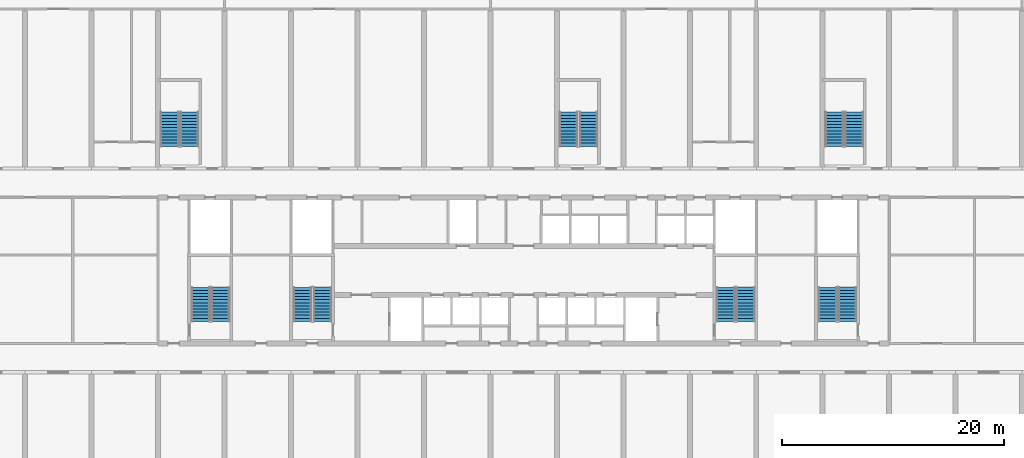
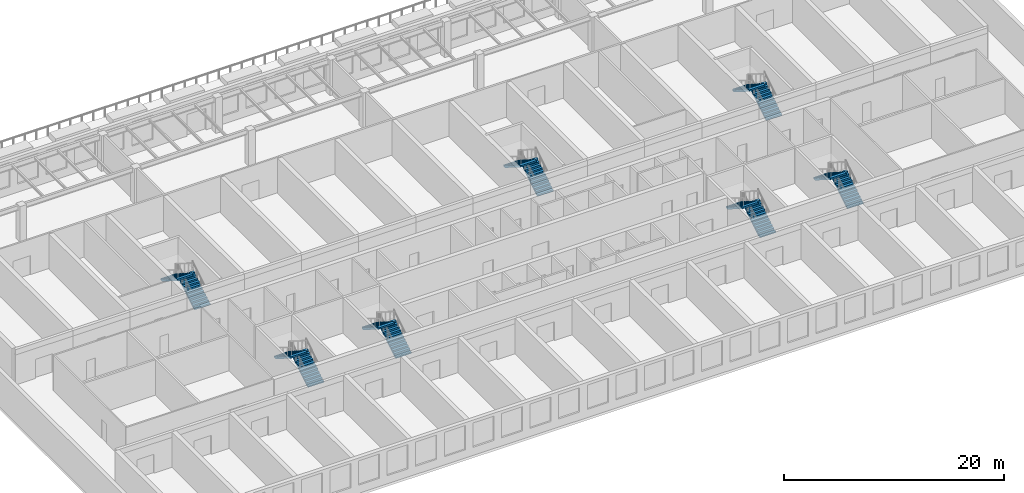
# One storey, part 12 of 16: 14 stair flights, 7 elements without a shape of their own.
"""IFC4 building model written with IfcOpenShell, lengths in metres."""

from ifc_helpers import new_model, si_unit, direction, frame, origin, place, context, subcontext, project, spatial, polyline, outline, extrude, material, layer, layer_set, type_object, element, aggregate, save


model = new_model("IFC4")

# Units and contexts
model_context = context("Model", 3, precision=1e-05, world=origin(), true_north=direction((0.0, 1.0)))
body_context = subcontext(model_context, "Body", "Model", "MODEL_VIEW")
ifc_project = project(units=[si_unit("LENGTHUNIT", "METRE"), si_unit("AREAUNIT", "SQUARE_METRE"), si_unit("VOLUMEUNIT", "CUBIC_METRE"), si_unit("PLANEANGLEUNIT", "RADIAN"), si_unit("MASSUNIT", "GRAM", prefix="KILO")], contexts=[model_context])

# Site, building, storey
site_placement = place(None, origin())
site = spatial("IfcSite", under=ifc_project, at=site_placement, CompositionType="ELEMENT")
building_placement = place(site_placement, origin())
building = spatial("IfcBuilding", under=site, at=building_placement, Name="Poui Terraces", CompositionType="ELEMENT")
storey_placement = place(building_placement, frame((0.0, 0.0, 15.0)))
storey = spatial("IfcBuildingStorey", under=building, at=storey_placement, Name="L03", CompositionType="ELEMENT", Elevation=15.0)

# Stair, stair flights
ifc_material = material(Name="Concrete 80 MPa", Category="concrete")
stair_type = type_object("IfcStairType", Name="EXIT STAIR 1650 80 MPA", PredefinedType="HALF_TURN_STAIR", material=ifc_material)
stair_1_placement = place(storey_placement, origin())
stair_1 = element("IfcStair", 1, at=stair_1_placement, inside=storey, type_object=stair_type, Name="L03 CORE STAIR EAST", PredefinedType="HALF_TURN_STAIR")
ifc_layer = layer(ifc_material, 0.14990234375)
ifc_layer_set = layer_set([ifc_layer], Name="Concrete 80 MPa")
stair_flight_type = type_object("IfcStairFlightType", Name="STAIR FLIGHT 12 RISERS 175 RISE 80 MPA", PredefinedType="STRAIGHT", material=ifc_layer_set)
stair_flight_1_placement = place(storey_placement, frame((71.050048828125, 16.60009765625, 0.0), z_axis=(0.0, 0.0, 1.0), x_axis=(0.0, 1.0, 0.0)))
stair_flight_1 = element("IfcStairFlight", 2, at=stair_flight_1_placement, type_object=stair_flight_type, Name="ST-CE flight 1", NumberOfRisers=12, NumberOfTreads=11, PredefinedType="STRAIGHT", RiserHeight=0.175, TreadLength=0.28, context=body_context, shape_type="SweptSolid", body=[
    extrude(outline(polyline([(0.0, 0.0), (0.0, 0.175048828125), (0.280029296875, 0.175048828125), (0.280029296875, 0.35009765625), (0.56005859375, 0.35009765625), (0.56005859375, 0.52490234375), (0.840087890625, 0.52490234375), (0.840087890625, 0.699951171875), (1.1201171875, 0.699951171875), (1.1201171875, 0.875), (1.39990234375, 0.875), (1.39990234375, 1.050048828125), (1.679931640625, 1.050048828125), (1.679931640625, 1.22509765625), (1.9599609375, 1.22509765625), (1.9599609375, 1.39990234375), (2.239990234375, 1.39990234375), (2.239990234375, 1.574951171875), (2.52001953125, 1.574951171875), (2.52001953125, 1.75), (2.800048828125, 1.75), (2.800048828125, 1.925048828125), (3.080078125, 1.925048828125), (3.080078125, 2.10009765625), (3.080078125, 1.748291015625), (0.28271484375, 0.0), (0.0, 0.0)])), frame((0.0, 0.824951171875, 0.0), z_axis=(0.0, -1.0, 0.0), x_axis=(1.0, 0.0, 0.0)), (0.0, 0.0, 1.0), 1.64990234375),
])
stair_flight_2_placement = place(storey_placement, frame((69.25, 19.679931640625, 2.10009765625), z_axis=(0.0, 0.0, 1.0), x_axis=(0.0, -1.0, 0.0)))
stair_flight_2 = element("IfcStairFlight", 3, at=stair_flight_2_placement, type_object=stair_flight_type, Name="ST-CE flight 2", NumberOfRisers=12, NumberOfTreads=11, PredefinedType="STRAIGHT", RiserHeight=0.175, TreadLength=0.28, context=body_context, shape_type="SweptSolid", body=[
    extrude(outline(polyline([(0.0, 0.0), (0.0, 0.175048828125), (0.280029296875, 0.175048828125), (0.280029296875, 0.35009765625), (0.56005859375, 0.35009765625), (0.56005859375, 0.52490234375), (0.840087890625, 0.52490234375), (0.840087890625, 0.699951171875), (1.1201171875, 0.699951171875), (1.1201171875, 0.875), (1.39990234375, 0.875), (1.39990234375, 1.050048828125), (1.679931640625, 1.050048828125), (1.679931640625, 1.22509765625), (1.9599609375, 1.22509765625), (1.9599609375, 1.39990234375), (2.239990234375, 1.39990234375), (2.239990234375, 1.574951171875), (2.52001953125, 1.574951171875), (2.52001953125, 1.75), (2.800048828125, 1.75), (2.800048828125, 1.925048828125), (3.080078125, 1.925048828125), (3.080078125, 2.10009765625), (3.080078125, 1.748291015625), (0.28271484375, 0.0), (0.0, 0.0)])), frame((0.0, 0.824951171875, 0.0), z_axis=(0.0, -1.0, 0.0), x_axis=(1.0, 0.0, 0.0)), (0.0, 0.0, 1.0), 1.64990234375),
])
aggregate(stair_1, [stair_flight_1, stair_flight_2])

stair_2_placement = place(storey_placement, origin())
stair_2 = element("IfcStair", 4, at=stair_2_placement, inside=storey, type_object=stair_type, Name="L03 CORE STAIR WEST", PredefinedType="HALF_TURN_STAIR")
stair_flight_3_placement = place(storey_placement, frame((32.85009765625, 16.60009765625, 0.0), z_axis=(0.0, 0.0, 1.0), x_axis=(0.0, 1.0, 0.0)))
stair_flight_3 = element("IfcStairFlight", 5, at=stair_flight_3_placement, type_object=stair_flight_type, Name="ST-CW flight 1", NumberOfRisers=12, NumberOfTreads=11, PredefinedType="STRAIGHT", RiserHeight=0.175, TreadLength=0.28, context=body_context, shape_type="SweptSolid", body=[
    extrude(outline(polyline([(0.0, 0.0), (0.0, 0.175048828125), (0.280029296875, 0.175048828125), (0.280029296875, 0.35009765625), (0.56005859375, 0.35009765625), (0.56005859375, 0.52490234375), (0.840087890625, 0.52490234375), (0.840087890625, 0.699951171875), (1.1201171875, 0.699951171875), (1.1201171875, 0.875), (1.39990234375, 0.875), (1.39990234375, 1.050048828125), (1.679931640625, 1.050048828125), (1.679931640625, 1.22509765625), (1.9599609375, 1.22509765625), (1.9599609375, 1.39990234375), (2.239990234375, 1.39990234375), (2.239990234375, 1.574951171875), (2.52001953125, 1.574951171875), (2.52001953125, 1.75), (2.800048828125, 1.75), (2.800048828125, 1.925048828125), (3.080078125, 1.925048828125), (3.080078125, 2.10009765625), (3.080078125, 1.748291015625), (0.28271484375, 0.0), (0.0, 0.0)])), frame((0.0, 0.824951171875, 0.0), z_axis=(0.0, -1.0, 0.0), x_axis=(1.0, 0.0, 0.0)), (0.0, 0.0, 1.0), 1.64990234375),
])
stair_flight_4_placement = place(storey_placement, frame((31.050048828125, 19.679931640625, 2.10009765625), z_axis=(0.0, 0.0, 1.0), x_axis=(0.0, -1.0, 0.0)))
stair_flight_4 = element("IfcStairFlight", 6, at=stair_flight_4_placement, type_object=stair_flight_type, Name="ST-CW flight 2", NumberOfRisers=12, NumberOfTreads=11, PredefinedType="STRAIGHT", RiserHeight=0.175, TreadLength=0.28, context=body_context, shape_type="SweptSolid", body=[
    extrude(outline(polyline([(0.0, 0.0), (0.0, 0.175048828125), (0.280029296875, 0.175048828125), (0.280029296875, 0.35009765625), (0.56005859375, 0.35009765625), (0.56005859375, 0.52490234375), (0.840087890625, 0.52490234375), (0.840087890625, 0.699951171875), (1.1201171875, 0.699951171875), (1.1201171875, 0.875), (1.39990234375, 0.875), (1.39990234375, 1.050048828125), (1.679931640625, 1.050048828125), (1.679931640625, 1.22509765625), (1.9599609375, 1.22509765625), (1.9599609375, 1.39990234375), (2.239990234375, 1.39990234375), (2.239990234375, 1.574951171875), (2.52001953125, 1.574951171875), (2.52001953125, 1.75), (2.800048828125, 1.75), (2.800048828125, 1.925048828125), (3.080078125, 1.925048828125), (3.080078125, 2.10009765625), (3.080078125, 1.748291015625), (0.28271484375, 0.0), (0.0, 0.0)])), frame((0.0, 0.824951171875, 0.0), z_axis=(0.0, -1.0, 0.0), x_axis=(1.0, 0.0, 0.0)), (0.0, 0.0, 1.0), 1.64990234375),
])
aggregate(stair_2, [stair_flight_3, stair_flight_4])

stair_3_placement = place(storey_placement, origin())
stair_3 = element("IfcStair", 7, at=stair_3_placement, inside=storey, type_object=stair_type, Name="L03 TIP STAIR EAST", PredefinedType="HALF_TURN_STAIR")
stair_flight_5_placement = place(storey_placement, frame((80.25, 16.60009765625, 0.0), z_axis=(0.0, 0.0, 1.0), x_axis=(0.0, 1.0, 0.0)))
stair_flight_5 = element("IfcStairFlight", 8, at=stair_flight_5_placement, type_object=stair_flight_type, Name="ST-E flight 1", NumberOfRisers=12, NumberOfTreads=11, PredefinedType="STRAIGHT", RiserHeight=0.175, TreadLength=0.28, context=body_context, shape_type="SweptSolid", body=[
    extrude(outline(polyline([(0.0, 0.0), (0.0, 0.175048828125), (0.280029296875, 0.175048828125), (0.280029296875, 0.35009765625), (0.56005859375, 0.35009765625), (0.56005859375, 0.52490234375), (0.840087890625, 0.52490234375), (0.840087890625, 0.699951171875), (1.1201171875, 0.699951171875), (1.1201171875, 0.875), (1.39990234375, 0.875), (1.39990234375, 1.050048828125), (1.679931640625, 1.050048828125), (1.679931640625, 1.22509765625), (1.9599609375, 1.22509765625), (1.9599609375, 1.39990234375), (2.239990234375, 1.39990234375), (2.239990234375, 1.574951171875), (2.52001953125, 1.574951171875), (2.52001953125, 1.75), (2.800048828125, 1.75), (2.800048828125, 1.925048828125), (3.080078125, 1.925048828125), (3.080078125, 2.10009765625), (3.080078125, 1.748291015625), (0.28271484375, 0.0), (0.0, 0.0)])), frame((0.0, 0.824951171875, 0.0), z_axis=(0.0, -1.0, 0.0), x_axis=(1.0, 0.0, 0.0)), (0.0, 0.0, 1.0), 1.64990234375),
])
stair_flight_6_placement = place(storey_placement, frame((78.449951171875, 19.679931640625, 2.10009765625), z_axis=(0.0, 0.0, 1.0), x_axis=(0.0, -1.0, 0.0)))
stair_flight_6 = element("IfcStairFlight", 9, at=stair_flight_6_placement, type_object=stair_flight_type, Name="ST-E flight 2", NumberOfRisers=12, NumberOfTreads=11, PredefinedType="STRAIGHT", RiserHeight=0.175, TreadLength=0.28, context=body_context, shape_type="SweptSolid", body=[
    extrude(outline(polyline([(0.0, 0.0), (0.0, 0.175048828125), (0.280029296875, 0.175048828125), (0.280029296875, 0.35009765625), (0.56005859375, 0.35009765625), (0.56005859375, 0.52490234375), (0.840087890625, 0.52490234375), (0.840087890625, 0.699951171875), (1.1201171875, 0.699951171875), (1.1201171875, 0.875), (1.39990234375, 0.875), (1.39990234375, 1.050048828125), (1.679931640625, 1.050048828125), (1.679931640625, 1.22509765625), (1.9599609375, 1.22509765625), (1.9599609375, 1.39990234375), (2.239990234375, 1.39990234375), (2.239990234375, 1.574951171875), (2.52001953125, 1.574951171875), (2.52001953125, 1.75), (2.800048828125, 1.75), (2.800048828125, 1.925048828125), (3.080078125, 1.925048828125), (3.080078125, 2.10009765625), (3.080078125, 1.748291015625), (0.28271484375, 0.0), (0.0, 0.0)])), frame((0.0, 0.824951171875, 0.0), z_axis=(0.0, -1.0, 0.0), x_axis=(1.0, 0.0, 0.0)), (0.0, 0.0, 1.0), 1.64990234375),
])
aggregate(stair_3, [stair_flight_5, stair_flight_6])

stair_4_placement = place(storey_placement, origin())
stair_4 = element("IfcStair", 10, at=stair_4_placement, inside=storey, type_object=stair_type, Name="L03 TIP STAIR WEST", PredefinedType="HALF_TURN_STAIR")
stair_flight_7_placement = place(storey_placement, frame((23.64990234375, 16.60009765625, 0.0), z_axis=(0.0, 0.0, 1.0), x_axis=(0.0, 1.0, 0.0)))
stair_flight_7 = element("IfcStairFlight", 11, at=stair_flight_7_placement, type_object=stair_flight_type, Name="ST-W flight 1", NumberOfRisers=12, NumberOfTreads=11, PredefinedType="STRAIGHT", RiserHeight=0.175, TreadLength=0.28, context=body_context, shape_type="SweptSolid", body=[
    extrude(outline(polyline([(0.0, 0.0), (0.0, 0.175048828125), (0.280029296875, 0.175048828125), (0.280029296875, 0.35009765625), (0.56005859375, 0.35009765625), (0.56005859375, 0.52490234375), (0.840087890625, 0.52490234375), (0.840087890625, 0.699951171875), (1.1201171875, 0.699951171875), (1.1201171875, 0.875), (1.39990234375, 0.875), (1.39990234375, 1.050048828125), (1.679931640625, 1.050048828125), (1.679931640625, 1.22509765625), (1.9599609375, 1.22509765625), (1.9599609375, 1.39990234375), (2.239990234375, 1.39990234375), (2.239990234375, 1.574951171875), (2.52001953125, 1.574951171875), (2.52001953125, 1.75), (2.800048828125, 1.75), (2.800048828125, 1.925048828125), (3.080078125, 1.925048828125), (3.080078125, 2.10009765625), (3.080078125, 1.748291015625), (0.28271484375, 0.0), (0.0, 0.0)])), frame((0.0, 0.824951171875, 0.0), z_axis=(0.0, -1.0, 0.0), x_axis=(1.0, 0.0, 0.0)), (0.0, 0.0, 1.0), 1.64990234375),
])
stair_flight_8_placement = place(storey_placement, frame((21.85009765625, 19.679931640625, 2.10009765625), z_axis=(0.0, 0.0, 1.0), x_axis=(0.0, -1.0, 0.0)))
stair_flight_8 = element("IfcStairFlight", 12, at=stair_flight_8_placement, type_object=stair_flight_type, Name="ST-W flight 2", NumberOfRisers=12, NumberOfTreads=11, PredefinedType="STRAIGHT", RiserHeight=0.175, TreadLength=0.28, context=body_context, shape_type="SweptSolid", body=[
    extrude(outline(polyline([(0.0, 0.0), (0.0, 0.175048828125), (0.280029296875, 0.175048828125), (0.280029296875, 0.35009765625), (0.56005859375, 0.35009765625), (0.56005859375, 0.52490234375), (0.840087890625, 0.52490234375), (0.840087890625, 0.699951171875), (1.1201171875, 0.699951171875), (1.1201171875, 0.875), (1.39990234375, 0.875), (1.39990234375, 1.050048828125), (1.679931640625, 1.050048828125), (1.679931640625, 1.22509765625), (1.9599609375, 1.22509765625), (1.9599609375, 1.39990234375), (2.239990234375, 1.39990234375), (2.239990234375, 1.574951171875), (2.52001953125, 1.574951171875), (2.52001953125, 1.75), (2.800048828125, 1.75), (2.800048828125, 1.925048828125), (3.080078125, 1.925048828125), (3.080078125, 2.10009765625), (3.080078125, 1.748291015625), (0.28271484375, 0.0), (0.0, 0.0)])), frame((0.0, 0.824951171875, 0.0), z_axis=(0.0, -1.0, 0.0), x_axis=(1.0, 0.0, 0.0)), (0.0, 0.0, 1.0), 1.64990234375),
])
aggregate(stair_4, [stair_flight_7, stair_flight_8])

stair_5_placement = place(storey_placement, origin())
stair_5 = element("IfcStair", 13, at=stair_5_placement, inside=storey, type_object=stair_type, Name="L03 PODIUM STAIR 1", PredefinedType="HALF_TURN_STAIR")
stair_flight_9_placement = place(storey_placement, frame((20.85009765625, 32.39990234375, 0.0), z_axis=(0.0, 0.0, 1.0), x_axis=(0.0, 1.0, 0.0)))
stair_flight_9 = element("IfcStairFlight", 14, at=stair_flight_9_placement, type_object=stair_flight_type, Name="ST-N1 flight 1", NumberOfRisers=12, NumberOfTreads=11, PredefinedType="STRAIGHT", RiserHeight=0.175, TreadLength=0.28, context=body_context, shape_type="SweptSolid", body=[
    extrude(outline(polyline([(0.0, 0.0), (0.0, 0.175048828125), (0.280029296875, 0.175048828125), (0.280029296875, 0.35009765625), (0.56005859375, 0.35009765625), (0.56005859375, 0.52490234375), (0.840087890625, 0.52490234375), (0.840087890625, 0.699951171875), (1.1201171875, 0.699951171875), (1.1201171875, 0.875), (1.39990234375, 0.875), (1.39990234375, 1.050048828125), (1.679931640625, 1.050048828125), (1.679931640625, 1.22509765625), (1.9599609375, 1.22509765625), (1.9599609375, 1.39990234375), (2.239990234375, 1.39990234375), (2.239990234375, 1.574951171875), (2.52001953125, 1.574951171875), (2.52001953125, 1.75), (2.800048828125, 1.75), (2.800048828125, 1.925048828125), (3.080078125, 1.925048828125), (3.080078125, 2.10009765625), (3.080078125, 1.748291015625), (0.28271484375, 0.0), (0.0, 0.0)])), frame((0.0, 0.824951171875, 0.0), z_axis=(0.0, -1.0, 0.0), x_axis=(1.0, 0.0, 0.0)), (0.0, 0.0, 1.0), 1.64990234375),
])
stair_flight_10_placement = place(storey_placement, frame((19.050048828125, 35.47998046875, 2.10009765625), z_axis=(0.0, 0.0, 1.0), x_axis=(0.0, -1.0, 0.0)))
stair_flight_10 = element("IfcStairFlight", 15, at=stair_flight_10_placement, type_object=stair_flight_type, Name="ST-N1 flight 2", NumberOfRisers=12, NumberOfTreads=11, PredefinedType="STRAIGHT", RiserHeight=0.175, TreadLength=0.28, context=body_context, shape_type="SweptSolid", body=[
    extrude(outline(polyline([(0.0, 0.0), (0.0, 0.175048828125), (0.280029296875, 0.175048828125), (0.280029296875, 0.35009765625), (0.56005859375, 0.35009765625), (0.56005859375, 0.52490234375), (0.840087890625, 0.52490234375), (0.840087890625, 0.699951171875), (1.1201171875, 0.699951171875), (1.1201171875, 0.875), (1.39990234375, 0.875), (1.39990234375, 1.050048828125), (1.679931640625, 1.050048828125), (1.679931640625, 1.22509765625), (1.9599609375, 1.22509765625), (1.9599609375, 1.39990234375), (2.239990234375, 1.39990234375), (2.239990234375, 1.574951171875), (2.52001953125, 1.574951171875), (2.52001953125, 1.75), (2.800048828125, 1.75), (2.800048828125, 1.925048828125), (3.080078125, 1.925048828125), (3.080078125, 2.10009765625), (3.080078125, 1.748291015625), (0.28271484375, 0.0), (0.0, 0.0)])), frame((0.0, 0.824951171875, 0.0), z_axis=(0.0, -1.0, 0.0), x_axis=(1.0, 0.0, 0.0)), (0.0, 0.0, 1.0), 1.64990234375),
])
aggregate(stair_5, [stair_flight_9, stair_flight_10])

stair_6_placement = place(storey_placement, origin())
stair_6 = element("IfcStair", 16, at=stair_6_placement, inside=storey, type_object=stair_type, Name="L03 PODIUM STAIR 2", PredefinedType="HALF_TURN_STAIR")
stair_flight_11_placement = place(storey_placement, frame((80.85009765625, 32.39990234375, 0.0), z_axis=(0.0, 0.0, 1.0), x_axis=(0.0, 1.0, 0.0)))
stair_flight_11 = element("IfcStairFlight", 17, at=stair_flight_11_placement, type_object=stair_flight_type, Name="ST-N2 flight 1", NumberOfRisers=12, NumberOfTreads=11, PredefinedType="STRAIGHT", RiserHeight=0.175, TreadLength=0.28, context=body_context, shape_type="SweptSolid", body=[
    extrude(outline(polyline([(0.0, 0.0), (0.0, 0.175048828125), (0.280029296875, 0.175048828125), (0.280029296875, 0.35009765625), (0.56005859375, 0.35009765625), (0.56005859375, 0.52490234375), (0.840087890625, 0.52490234375), (0.840087890625, 0.699951171875), (1.1201171875, 0.699951171875), (1.1201171875, 0.875), (1.39990234375, 0.875), (1.39990234375, 1.050048828125), (1.679931640625, 1.050048828125), (1.679931640625, 1.22509765625), (1.9599609375, 1.22509765625), (1.9599609375, 1.39990234375), (2.239990234375, 1.39990234375), (2.239990234375, 1.574951171875), (2.52001953125, 1.574951171875), (2.52001953125, 1.75), (2.800048828125, 1.75), (2.800048828125, 1.925048828125), (3.080078125, 1.925048828125), (3.080078125, 2.10009765625), (3.080078125, 1.748291015625), (0.28271484375, 0.0), (0.0, 0.0)])), frame((0.0, 0.824951171875, 0.0), z_axis=(0.0, -1.0, 0.0), x_axis=(1.0, 0.0, 0.0)), (0.0, 0.0, 1.0), 1.64990234375),
])
stair_flight_12_placement = place(storey_placement, frame((79.050048828125, 35.47998046875, 2.10009765625), z_axis=(0.0, 0.0, 1.0), x_axis=(0.0, -1.0, 0.0)))
stair_flight_12 = element("IfcStairFlight", 18, at=stair_flight_12_placement, type_object=stair_flight_type, Name="ST-N2 flight 2", NumberOfRisers=12, NumberOfTreads=11, PredefinedType="STRAIGHT", RiserHeight=0.175, TreadLength=0.28, context=body_context, shape_type="SweptSolid", body=[
    extrude(outline(polyline([(0.0, 0.0), (0.0, 0.175048828125), (0.280029296875, 0.175048828125), (0.280029296875, 0.35009765625), (0.56005859375, 0.35009765625), (0.56005859375, 0.52490234375), (0.840087890625, 0.52490234375), (0.840087890625, 0.699951171875), (1.1201171875, 0.699951171875), (1.1201171875, 0.875), (1.39990234375, 0.875), (1.39990234375, 1.050048828125), (1.679931640625, 1.050048828125), (1.679931640625, 1.22509765625), (1.9599609375, 1.22509765625), (1.9599609375, 1.39990234375), (2.239990234375, 1.39990234375), (2.239990234375, 1.574951171875), (2.52001953125, 1.574951171875), (2.52001953125, 1.75), (2.800048828125, 1.75), (2.800048828125, 1.925048828125), (3.080078125, 1.925048828125), (3.080078125, 2.10009765625), (3.080078125, 1.748291015625), (0.28271484375, 0.0), (0.0, 0.0)])), frame((0.0, 0.824951171875, 0.0), z_axis=(0.0, -1.0, 0.0), x_axis=(1.0, 0.0, 0.0)), (0.0, 0.0, 1.0), 1.64990234375),
])
aggregate(stair_6, [stair_flight_11, stair_flight_12])

stair_7_placement = place(storey_placement, origin())
stair_7 = element("IfcStair", 19, at=stair_7_placement, inside=storey, type_object=stair_type, Name="L03 PODIUM STAIR 3", PredefinedType="HALF_TURN_STAIR")
stair_flight_13_placement = place(storey_placement, frame((56.85009765625, 32.39990234375, 0.0), z_axis=(0.0, 0.0, 1.0), x_axis=(0.0, 1.0, 0.0)))
stair_flight_13 = element("IfcStairFlight", 20, at=stair_flight_13_placement, type_object=stair_flight_type, Name="ST-N3 flight 1", NumberOfRisers=12, NumberOfTreads=11, PredefinedType="STRAIGHT", RiserHeight=0.175, TreadLength=0.28, context=body_context, shape_type="SweptSolid", body=[
    extrude(outline(polyline([(0.0, 0.0), (0.0, 0.175048828125), (0.280029296875, 0.175048828125), (0.280029296875, 0.35009765625), (0.56005859375, 0.35009765625), (0.56005859375, 0.52490234375), (0.840087890625, 0.52490234375), (0.840087890625, 0.699951171875), (1.1201171875, 0.699951171875), (1.1201171875, 0.875), (1.39990234375, 0.875), (1.39990234375, 1.050048828125), (1.679931640625, 1.050048828125), (1.679931640625, 1.22509765625), (1.9599609375, 1.22509765625), (1.9599609375, 1.39990234375), (2.239990234375, 1.39990234375), (2.239990234375, 1.574951171875), (2.52001953125, 1.574951171875), (2.52001953125, 1.75), (2.800048828125, 1.75), (2.800048828125, 1.925048828125), (3.080078125, 1.925048828125), (3.080078125, 2.10009765625), (3.080078125, 1.748291015625), (0.28271484375, 0.0), (0.0, 0.0)])), frame((0.0, 0.824951171875, 0.0), z_axis=(0.0, -1.0, 0.0), x_axis=(1.0, 0.0, 0.0)), (0.0, 0.0, 1.0), 1.64990234375),
])
stair_flight_14_placement = place(storey_placement, frame((55.050048828125, 35.47998046875, 2.10009765625), z_axis=(0.0, 0.0, 1.0), x_axis=(0.0, -1.0, 0.0)))
stair_flight_14 = element("IfcStairFlight", 21, at=stair_flight_14_placement, type_object=stair_flight_type, Name="ST-N3 flight 2", NumberOfRisers=12, NumberOfTreads=11, PredefinedType="STRAIGHT", RiserHeight=0.175, TreadLength=0.28, context=body_context, shape_type="SweptSolid", body=[
    extrude(outline(polyline([(0.0, 0.0), (0.0, 0.175048828125), (0.280029296875, 0.175048828125), (0.280029296875, 0.35009765625), (0.56005859375, 0.35009765625), (0.56005859375, 0.52490234375), (0.840087890625, 0.52490234375), (0.840087890625, 0.699951171875), (1.1201171875, 0.699951171875), (1.1201171875, 0.875), (1.39990234375, 0.875), (1.39990234375, 1.050048828125), (1.679931640625, 1.050048828125), (1.679931640625, 1.22509765625), (1.9599609375, 1.22509765625), (1.9599609375, 1.39990234375), (2.239990234375, 1.39990234375), (2.239990234375, 1.574951171875), (2.52001953125, 1.574951171875), (2.52001953125, 1.75), (2.800048828125, 1.75), (2.800048828125, 1.925048828125), (3.080078125, 1.925048828125), (3.080078125, 2.10009765625), (3.080078125, 1.748291015625), (0.28271484375, 0.0), (0.0, 0.0)])), frame((0.0, 0.824951171875, 0.0), z_axis=(0.0, -1.0, 0.0), x_axis=(1.0, 0.0, 0.0)), (0.0, 0.0, 1.0), 1.64990234375),
])
aggregate(stair_7, [stair_flight_13, stair_flight_14])

save(model, "model.ifc")
